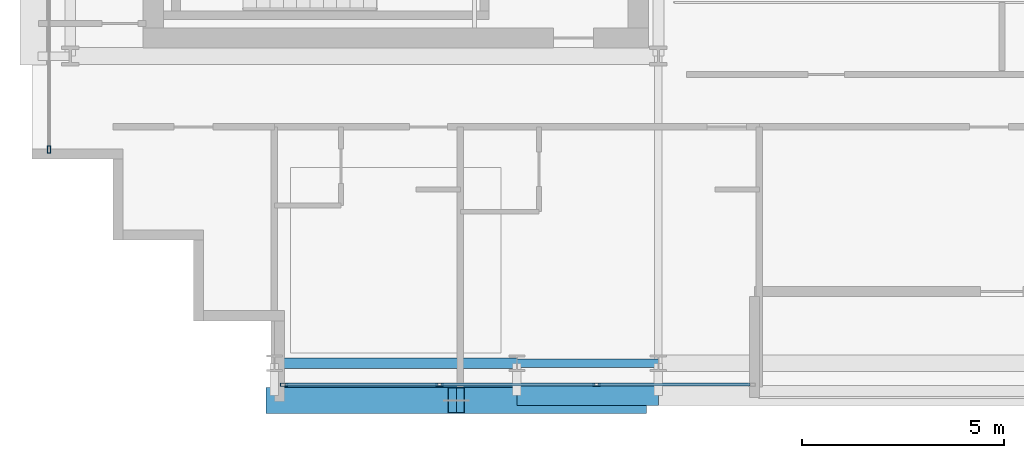
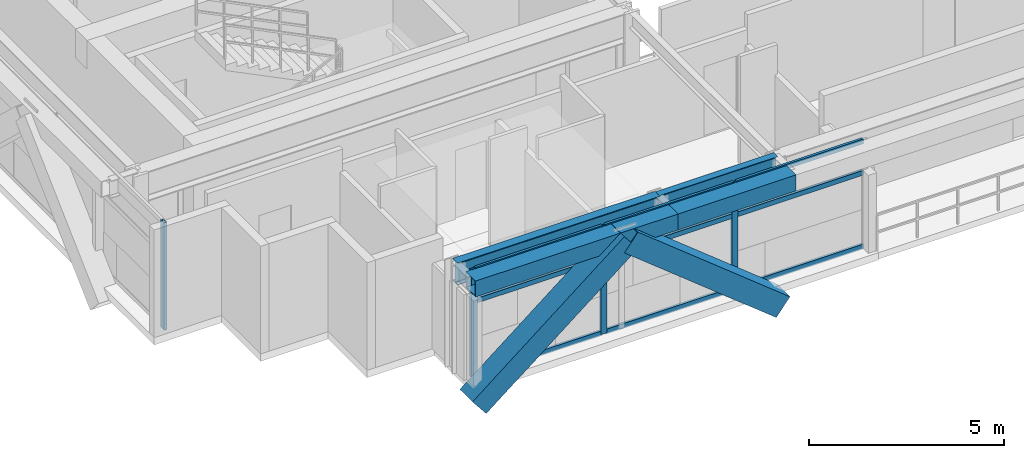
# One storey, part 2 of 31: 15 members, 4 beams, 2 elements without a shape of their own.
"""IFC4 building model written with IfcOpenShell, lengths in metres."""

import ifcopenshell
import ifcopenshell.guid

model = None  # the IFC model being written
_history = None  # IfcOwnerHistory: only IFC2X3 demands one
_inside = {}  # id of a spatial element -> (the spatial element, [elements in it])
_under = {}  # id of a project, library or spatial element -> (it, [spatial elements below it])
_declared = {}  # id of a project -> (the project, [libraries it declares])
_typed = {}  # id of a type object -> (the type object, [elements of that type])
_made_of = {}  # id of a material, layer set ... -> (it, [elements and type objects made of it])


def new_model(schema):
    """Start an empty IFC model of exactly this schema.

    Asked for "IFC4X3", IfcOpenShell would pick the latest addendum, in which some entities
    have other attributes; the version numbers below select the first issue.
    IFC2X3 requires an IfcOwnerHistory on every rooted entity: one is made here for all.
    """
    global model, _history
    if schema == "IFC4X3":
        model = ifcopenshell.file(schema_version=(4, 3, 0, 0))
    else:
        model = ifcopenshell.file(schema=schema)
    _inside.clear()
    _under.clear()
    _declared.clear()
    _typed.clear()
    _made_of.clear()
    _history = None
    if model.schema == "IFC2X3":
        org = make("IfcOrganization", Name="unknown")
        user = make(
            "IfcPersonAndOrganization",
            ThePerson=make("IfcPerson", FamilyName="unknown"),
            TheOrganization=org,
        )
        app = make(
            "IfcApplication",
            ApplicationDeveloper=org,
            Version="unknown",
            ApplicationFullName="unknown",
            ApplicationIdentifier="unknown",
        )
        _history = make(
            "IfcOwnerHistory",
            OwningUser=user,
            OwningApplication=app,
            ChangeAction="ADDED",
            CreationDate=0,
        )
    return model


def make(cls, **values):
    """One entity of the class cls with the attributes given. An attribute that is None is left unset."""
    return model.create_entity(
        cls, **{name: value for name, value in values.items() if value is not None}
    )


def rooted(cls, **values):
    """An entity with a GlobalId (a new one), such as an element, a storey or a relation."""
    return make(cls, GlobalId=ifcopenshell.guid.new(), OwnerHistory=_history, **values)


def si_unit(unit_type, name, prefix=None):
    """IfcSIUnit, for example si_unit("LENGTHUNIT", "METRE", prefix="MILLI")."""
    return make("IfcSIUnit", UnitType=unit_type, Prefix=prefix, Name=name)


def assignment(units):
    """IfcUnitAssignment: the units of a project."""
    return None if units is None else make("IfcUnitAssignment", Units=units)


def point(xyz):
    """IfcCartesianPoint."""
    return None if xyz is None else make("IfcCartesianPoint", Coordinates=xyz)


def direction(xyz):
    """IfcDirection."""
    return None if xyz is None else make("IfcDirection", DirectionRatios=xyz)


def frame(location, z_axis=None, x_axis=None):
    """IfcAxis2Placement3D, a coordinate frame: its origin and axes. An axis left out is left unset."""
    return make(
        "IfcAxis2Placement3D",
        Location=point(location),
        Axis=direction(z_axis),
        RefDirection=direction(x_axis),
    )


def frame_2d(location, x_axis=None):
    """IfcAxis2Placement2D, a coordinate frame in the plane: its origin and x axis."""
    return make(
        "IfcAxis2Placement2D", Location=point(location), RefDirection=direction(x_axis)
    )


def origin():
    """The frame at (0, 0, 0) with its axes left unset."""
    return frame((0.0, 0.0, 0.0))


def origin_2d():
    """The frame at (0, 0) in the plane with its x axis left unset."""
    return frame_2d((0.0, 0.0))


def place(relative_to, where):
    """IfcLocalPlacement: puts the frame where relative to a parent placement (None: the world)."""
    return make(
        "IfcLocalPlacement", PlacementRelTo=relative_to, RelativePlacement=where
    )


def context(
    kind, dimensions, precision=None, world=None, true_north=None, identifier=None
):
    """IfcGeometricRepresentationContext, for example the 3D "Model" context."""
    return make(
        "IfcGeometricRepresentationContext",
        ContextIdentifier=identifier,
        ContextType=kind,
        CoordinateSpaceDimension=dimensions,
        Precision=precision,
        WorldCoordinateSystem=world,
        TrueNorth=true_north,
    )


def subcontext(parent, identifier, kind, view, scale=None):
    """IfcGeometricRepresentationSubContext, for example "Body" below "Model"."""
    return make(
        "IfcGeometricRepresentationSubContext",
        ContextIdentifier=identifier,
        ContextType=kind,
        ParentContext=parent,
        TargetScale=scale,
        TargetView=view,
    )


def project(units=None, contexts=None):
    """IfcProject with its units and contexts."""
    return rooted(
        "IfcProject",
        Name="project",
        RepresentationContexts=contexts,
        UnitsInContext=assignment(units),
    )


def spatial(cls, under=None, at=None, **own):
    """A site, building, storey or space (cls), placed at a placement, below another one or the project."""
    s = rooted(cls, ObjectPlacement=at, **own)
    if under is not None:
        _under.setdefault(under.id(), (under, []))[1].append(s)
    return s


def profile(cls, at=None, kind="AREA", **sizes):
    """A parametric profile (cls). Its sizes go by their IFC names, for example OverallWidth=200.0."""
    return make(cls, ProfileType=kind, Position=at, **sizes)


def hollow_rectangle(**sizes):
    """IfcRectangleHollowProfileDef."""
    return profile("IfcRectangleHollowProfileDef", **sizes)


def i_section(**sizes):
    """IfcIShapeProfileDef."""
    return profile("IfcIShapeProfileDef", **sizes)


def extrude(swept, where, along, depth):
    """IfcExtrudedAreaSolid: the profile swept, set in the frame where, extruded along a direction by depth."""
    return make(
        "IfcExtrudedAreaSolid",
        SweptArea=swept,
        Position=where,
        ExtrudedDirection=direction(along),
        Depth=depth,
    )


def shape(context_of_items, identifier, shape_type, items):
    """IfcShapeRepresentation: the items that make up one representation, for example the "Body"."""
    return make(
        "IfcShapeRepresentation",
        ContextOfItems=context_of_items,
        RepresentationIdentifier=identifier,
        RepresentationType=shape_type,
        Items=items,
    )


def source(mapping_origin, context_of_items, identifier, shape_type, items):
    """IfcRepresentationMap: a shape defined once, which mapped items show again and again."""
    return make(
        "IfcRepresentationMap",
        MappingOrigin=mapping_origin,
        MappedRepresentation=shape(context_of_items, identifier, shape_type, items),
    )


def transform(
    local_origin,
    x_axis=None,
    y_axis=None,
    z_axis=None,
    scale=None,
    scale2=None,
    scale3=None,
    uniform=True,
):
    """IfcCartesianTransformationOperator3D, or its non-uniform kind. x_axis, y_axis, z_axis: its Axis1, 2, 3."""
    if uniform:
        return make(
            "IfcCartesianTransformationOperator3D",
            Axis1=direction(x_axis),
            Axis2=direction(y_axis),
            LocalOrigin=point(local_origin),
            Scale=scale,
            Axis3=direction(z_axis),
        )
    return make(
        "IfcCartesianTransformationOperator3DnonUniform",
        Axis1=direction(x_axis),
        Axis2=direction(y_axis),
        LocalOrigin=point(local_origin),
        Scale=scale,
        Axis3=direction(z_axis),
        Scale2=scale2,
        Scale3=scale3,
    )


def mapped(mapping_source, mapping_target):
    """IfcMappedItem: shows the shape of a source again, moved by a transform."""
    return make(
        "IfcMappedItem", MappingSource=mapping_source, MappingTarget=mapping_target
    )


def material(Name=None, Category=None):
    """IfcMaterial."""
    return make("IfcMaterial", Name=Name, Category=Category)


def layer(
    of_material, thickness, ventilated=None, Name=None, Category=None, Priority=None
):
    """IfcMaterialLayer: one layer of a wall or slab, of a material (None: an air gap)."""
    return make(
        "IfcMaterialLayer",
        Material=of_material,
        LayerThickness=thickness,
        IsVentilated=ventilated,
        Name=Name,
        Category=Category,
        Priority=Priority,
    )


def layer_set(layers, Name=None):
    """IfcMaterialLayerSet."""
    return make("IfcMaterialLayerSet", MaterialLayers=layers, LayerSetName=Name)


def material_profile(
    of_material, cross_section, Name=None, Category=None, Priority=None
):
    """IfcMaterialProfile: a cross section and its material."""
    return make(
        "IfcMaterialProfile",
        Name=Name,
        Material=of_material,
        Profile=cross_section,
        Priority=Priority,
        Category=Category,
    )


def profile_set(profiles, Name=None, composite=None):
    """IfcMaterialProfileSet."""
    return make(
        "IfcMaterialProfileSet",
        Name=Name,
        MaterialProfiles=profiles,
        CompositeProfile=composite,
    )


def made_of(thing, what):
    """Note that an element or type object is made of a material, layer set ...; save() writes the relation."""
    if what is not None:
        _made_of.setdefault(what.id(), (what, []))[1].append(thing)
    return thing


def type_object(cls, material=None, **own):
    """A type object (cls), such as IfcWallType, which elements share."""
    return made_of(rooted(cls, **own), material)


def element(
    cls,
    number,
    at=None,
    inside=None,
    cuts=None,
    type_object=None,
    material=None,
    context=None,
    identifier="Body",
    shape_type=None,
    held_by="IfcProductDefinitionShape",
    body=None,
    shapes=None,
    **own,
):
    """One element of the class cls, such as IfcWall. Its Tag is "e" and its number.

    at: its placement. inside: the storey or other place that contains it. cuts: it is an
    opening in that element (IfcRelVoidsElement). A single representation is given by context,
    identifier, shape_type and body (its items); several are given by shapes. held_by: the class
    of the entity that holds the representations. save() writes the other relations.
    """
    e = rooted(cls, Tag="e%d" % number, ObjectPlacement=at, **own)
    if body is not None:
        shapes = [shape(context, identifier, shape_type, body)]
    if shapes is not None:
        e.Representation = make(held_by, Representations=shapes)
    if inside is not None:
        _inside.setdefault(inside.id(), (inside, []))[1].append(e)
    if cuts is not None:
        rooted(
            "IfcRelVoidsElement", RelatingBuildingElement=cuts, RelatedOpeningElement=e
        )
    if type_object is not None:
        _typed.setdefault(type_object.id(), (type_object, []))[1].append(e)
    return made_of(e, material)


def aggregate(whole, parts):
    """IfcRelAggregates: a whole, such as a stair, and the parts it consists of."""
    return rooted("IfcRelAggregates", RelatingObject=whole, RelatedObjects=parts)


def save(model, path):
    """Write the relations noted so far, then the file.

    IfcRelAggregates (storeys below a building ...), IfcRelContainedInSpatialStructure (elements
    in a storey), IfcRelDefinesByType, IfcRelAssociatesMaterial and IfcRelDeclares: one each for
    every whole, place, type object, material and project.
    """
    for whole, parts in _under.values():
        aggregate(whole, parts)
    for where, things in _inside.values():
        rooted(
            "IfcRelContainedInSpatialStructure",
            RelatedElements=things,
            RelatingStructure=where,
        )
    for kind, things in _typed.values():
        rooted("IfcRelDefinesByType", RelatedObjects=things, RelatingType=kind)
    for what, things in _made_of.values():
        rooted("IfcRelAssociatesMaterial", RelatedObjects=things, RelatingMaterial=what)
    for by, libraries in _declared.values():
        rooted("IfcRelDeclares", RelatingContext=by, RelatedDefinitions=libraries)
    model.write(path)


model = new_model("IFC4")

# Units and contexts
model_context = context("Model", 3, precision=1e-05, world=origin(), true_north=direction((0.0, 1.0)))
body_context = subcontext(model_context, "Body", "Model", "MODEL_VIEW")
ifc_project = project(units=[si_unit("LENGTHUNIT", "METRE"), si_unit("AREAUNIT", "SQUARE_METRE"), si_unit("VOLUMEUNIT", "CUBIC_METRE"), si_unit("PLANEANGLEUNIT", "RADIAN"), si_unit("MASSUNIT", "GRAM", prefix="KILO")], contexts=[model_context])

# Site, building, storey
site_placement = place(None, origin())
site = spatial("IfcSite", under=ifc_project, at=site_placement, CompositionType="ELEMENT")
building_placement = place(site_placement, origin())
building = spatial("IfcBuilding", under=site, at=building_placement, Name="Ocotamira Hotel", CompositionType="ELEMENT")
storey_placement = place(building_placement, frame((0.0, 0.0, 202.800048828125)))
storey = spatial("IfcBuildingStorey", under=building, at=storey_placement, Name="L51", CompositionType="ELEMENT", Elevation=202.800048828125)

# Beams
ifc_material_1 = material(Name="Steel ASTM A992 Grade 50", Category="steel")
ifc_material_profile_1 = material_profile(ifc_material_1, i_section(OverallWidth=0.256103515625, OverallDepth=0.693115234375, WebThickness=0.014404296875, FlangeThickness=0.023681640625, FilletRadius=0.01611328125, at=origin_2d()), Name="W27X114")
ifc_profile_set_1 = profile_set([ifc_material_profile_1], Name="Steel ASTM A992 Grade 50")
beam_type_1 = type_object("IfcBeamType", Name="BM-PRIM-W27X114", PredefinedType="BEAM", material=ifc_profile_set_1)
shared_shape_1 = source(origin(), body_context, "Body", "SweptSolid", [
    extrude(i_section(OverallWidth=0.256103515625, OverallDepth=0.693115234375, WebThickness=0.014404296875, FlangeThickness=0.023681640625, FilletRadius=0.01611328125, at=origin_2d()), origin(), (0.0, 0.0, 1.0), 6.0),
])
beam_1_placement = place(storey_placement, frame((14.0, 6.949951171875, 3.0234375), z_axis=(1.0, 0.0, 0.0), x_axis=(0.0, 1.0, 0.0)))
element("IfcBeam", 1, at=beam_1_placement, inside=storey, type_object=beam_type_1, Name="L51 Girder Y6.95 X14-20", PredefinedType="BEAM", context=body_context, shape_type="MappedRepresentation", body=[
    mapped(shared_shape_1, transform((0.0, 0.0, 0.0), scale=1.0)),
])
ifc_material_profile_2 = material_profile(ifc_material_1, i_section(OverallWidth=0.2099609375, OverallDepth=0.537109375, WebThickness=0.010986328125, FlangeThickness=0.017333984375, FilletRadius=0.012939453125, at=origin_2d()), Name="W21X68")
ifc_profile_set_2 = profile_set([ifc_material_profile_2], Name="Steel ASTM A992 Grade 50")
beam_type_2 = type_object("IfcBeamType", Name="BM-SEC-W21X68", PredefinedType="JOIST", material=ifc_profile_set_2)
shared_shape_2 = source(origin(), body_context, "Body", "SweptSolid", [
    extrude(i_section(OverallWidth=0.2099609375, OverallDepth=0.537109375, WebThickness=0.010986328125, FlangeThickness=0.017333984375, FilletRadius=0.012939453125, at=origin_2d()), origin(), (0.0, 0.0, 1.0), 3.5),
])
beam_2_placement = place(storey_placement, frame((20.0, 6.949951171875, 3.1015625), z_axis=(1.0, 0.0, 0.0), x_axis=(0.0, 1.0, 0.0)))
element("IfcBeam", 2, at=beam_2_placement, inside=storey, type_object=beam_type_2, Name="L51 Girder Y6.95 X20-23.5", PredefinedType="JOIST", context=body_context, shape_type="MappedRepresentation", body=[
    mapped(shared_shape_2, transform((0.0, 0.0, 0.0), scale=1.0)),
])
ifc_material_2 = material(Name="Steel ASTM A500 Grade C", Category="steel")
ifc_material_profile_3 = material_profile(ifc_material_2, hollow_rectangle(XDim=0.5, YDim=0.5, WallThickness=0.02001953125, at=origin_2d()), Name="HSS500X500X20")
ifc_profile_set_3 = profile_set([ifc_material_profile_3], Name="Steel ASTM A500 Grade C")
beam_type_3 = type_object("IfcBeamType", Name="BM-SPAN-HSS500", PredefinedType="USERDEFINED", material=ifc_profile_set_3)
shared_shape_3 = source(origin(), body_context, "Body", "SweptSolid", [
    extrude(hollow_rectangle(XDim=0.5, YDim=0.5, WallThickness=0.02001953125, at=origin_2d()), origin(), (0.0, 0.0, 1.0), 6.0),
])
beam_3_placement = place(storey_placement, frame((14.0, 6.14990234375, 3.119873046875), z_axis=(1.0, 0.0, 0.0), x_axis=(0.0, 1.0, 0.0)))
element("IfcBeam", 3, at=beam_3_placement, inside=storey, type_object=beam_type_3, Name="L51 Edge Spandrel S X14-20", ObjectType="SPANDREL", PredefinedType="USERDEFINED", context=body_context, shape_type="MappedRepresentation", body=[
    mapped(shared_shape_3, transform((0.0, 0.0, 0.0), scale=1.0)),
])
shared_shape_4 = source(origin(), body_context, "Body", "SweptSolid", [
    extrude(hollow_rectangle(XDim=0.5, YDim=0.5, WallThickness=0.02001953125, at=origin_2d()), origin(), (0.0, 0.0, 1.0), 3.5),
])
beam_4_placement = place(storey_placement, frame((20.0, 6.14990234375, 3.119873046875), z_axis=(1.0, 0.0, 0.0), x_axis=(0.0, 1.0, 0.0)))
element("IfcBeam", 4, at=beam_4_placement, inside=storey, type_object=beam_type_3, Name="L51 Edge Spandrel S X20-23.5", ObjectType="SPANDREL", PredefinedType="USERDEFINED", context=body_context, shape_type="MappedRepresentation", body=[
    mapped(shared_shape_4, transform((0.0, 0.0, 0.0), scale=1.0)),
])

# Members
ifc_material_3 = material(Name="Pale-metal coated steel ASTM A913 Grade 65", Category="steel")
ifc_material_profile_4 = material_profile(ifc_material_3, hollow_rectangle(XDim=0.64990234375, YDim=0.64990234375, WallThickness=0.02197265625, at=origin_2d()), Name="BOX650X650X22")
ifc_profile_set_4 = profile_set([ifc_material_profile_4], Name="Pale-metal coated steel ASTM A913 Grade 65")
member_type_1 = type_object("IfcMemberType", Name="MEM-EXO-BOX650", PredefinedType="BRACE", material=ifc_profile_set_4)
shared_shape_5 = source(origin(), body_context, "Body", "SweptSolid", [
    extrude(hollow_rectangle(XDim=0.64990234375, YDim=0.64990234375, WallThickness=0.02197265625, at=origin_2d()), origin(), (0.0, 0.0, 1.0), 5.7626953125),
])
for number, where, z_axis, x_axis, name in (
    (5, (14.0, 6.030029296875, -0.47998046875), (0.780881208953, 0.0, 0.624679547852), (0.0, 1.0, 0.0), "L51 Exoskeleton Diagrid S0.1"),
    (6, (23.0, 6.030029296875, -0.47998046875), (-0.780881208953, 0.0, 0.624679547852), (0.0, -1.0, 0.0), "L51 Exoskeleton Diagrid S0.2"),
):
    element("IfcMember", number, at=place(storey_placement, frame(where, z_axis=z_axis, x_axis=x_axis)), inside=storey, type_object=member_type_1, Name=name, PredefinedType="BRACE", context=body_context, shape_type="MappedRepresentation", body=[
        mapped(shared_shape_5, transform((0.0, 0.0, 0.0), scale=1.0)),
    ])

# Curtain wall, members
ifc_material_4 = material(Name="Anodised pale-metal aluminium and solar glass", Category="aluminium")
ifc_layer = layer(ifc_material_4, 0.199951171875)
ifc_layer_set = layer_set([ifc_layer], Name="Anodised pale-metal aluminium and solar glass")
curtain_wall_type = type_object("IfcCurtainWallType", Name="CW-SYS4-Z3", PredefinedType="NOTDEFINED", material=ifc_layer_set)
curtain_wall_1_placement = place(storey_placement, origin())
curtain_wall_1 = element("IfcCurtainWall", 7, at=curtain_wall_1_placement, inside=storey, type_object=curtain_wall_type, Name="L51 Curtain Wall CW-4 CW-L51-S1", PredefinedType="NOTDEFINED")
ifc_material_5 = material(Name="Anodised pale-metal aluminium 6063-T6", Category="aluminium")
ifc_material_profile_5 = material_profile(ifc_material_5, hollow_rectangle(XDim=0.080078125, YDim=0.179931640625, WallThickness=0.006103515625, at=origin_2d()), Name="HSS180X80X6")
ifc_profile_set_5 = profile_set([ifc_material_profile_5], Name="Anodised pale-metal aluminium 6063-T6")
member_type_2 = type_object("IfcMemberType", Name="CWM-180X75", PredefinedType="MULLION", material=ifc_profile_set_5)
shared_shape_6 = source(origin(), body_context, "Body", "SweptSolid", [
    extrude(hollow_rectangle(XDim=0.080078125, YDim=0.179931640625, WallThickness=0.006103515625, at=origin_2d()), origin(), (0.0, 0.0, 1.0), 3.369873046875),
])
member_1_placement = place(storey_placement, frame((14.239990234375, 6.419921875, 0.0), z_axis=(0.0, 0.0, 1.0), x_axis=(0.0, 1.0, 0.0)))
member_1 = element("IfcMember", 8, at=member_1_placement, type_object=member_type_2, Name="CW-4 mullion 1", PredefinedType="MULLION", context=body_context, shape_type="MappedRepresentation", body=[
    mapped(shared_shape_6, transform((0.0, 0.0, 0.0), scale=1.0)),
])
member_2_placement = place(storey_placement, frame((18.083251953125, 6.419921875, 0.0), z_axis=(0.0, 0.0, 1.0), x_axis=(0.0, 1.0, 0.0)))
member_2 = element("IfcMember", 9, at=member_2_placement, type_object=member_type_2, Name="CW-4 mullion 2", PredefinedType="MULLION", context=body_context, shape_type="MappedRepresentation", body=[
    mapped(shared_shape_6, transform((0.0, 0.0, 0.0), scale=1.0)),
])
member_3_placement = place(storey_placement, frame((21.966552734375, 6.419921875, 0.0), z_axis=(0.0, 0.0, 1.0), x_axis=(0.0, 1.0, 0.0)))
member_3 = element("IfcMember", 10, at=member_3_placement, type_object=member_type_2, Name="CW-4 mullion 3", PredefinedType="MULLION", context=body_context, shape_type="MappedRepresentation", body=[
    mapped(shared_shape_6, transform((0.0, 0.0, 0.0), scale=1.0)),
])

# Curtain wall, member
curtain_wall_2_placement = place(storey_placement, origin())
curtain_wall_2 = element("IfcCurtainWall", 11, at=curtain_wall_2_placement, inside=storey, type_object=curtain_wall_type, Name="L51 Curtain Wall CW-4 CW-L51-W", PredefinedType="NOTDEFINED")
member_4_placement = place(storey_placement, frame((8.419921875, 12.239990234375, 0.0), z_axis=(0.0, 0.0, 1.0), x_axis=(-1.0, 0.0, 0.0)))
member_4 = element("IfcMember", 12, at=member_4_placement, type_object=member_type_2, Name="CW-4 mullion 1", PredefinedType="MULLION", context=body_context, shape_type="MappedRepresentation", body=[
    mapped(shared_shape_6, transform((0.0, 0.0, 0.0), scale=1.0)),
])
aggregate(curtain_wall_2, [member_4])

# Member
ifc_material_profile_6 = material_profile(ifc_material_5, hollow_rectangle(XDim=0.074951171875, YDim=0.14990234375, WallThickness=0.006103515625, at=origin_2d()), Name="HSS150X75X6")
ifc_profile_set_6 = profile_set([ifc_material_profile_6], Name="Anodised pale-metal aluminium 6063-T6")
member_type_3 = type_object("IfcMemberType", Name="CWT-150X75", PredefinedType="USERDEFINED", material=ifc_profile_set_6)
shared_shape_7 = source(origin(), body_context, "Body", "SweptSolid", [
    extrude(hollow_rectangle(XDim=0.074951171875, YDim=0.14990234375, WallThickness=0.006103515625, at=origin_2d()), origin(), (0.0, 0.0, 1.0), 3.76318359375),
])
member_5_placement = place(storey_placement, frame((14.280029296875, 6.419921875, 0.037353515625), z_axis=(1.0, 0.0, 0.0), x_axis=(0.0, 1.0, 0.0)))
member_5 = element("IfcMember", 13, at=member_5_placement, type_object=member_type_3, Name="CW-4 transom 1.1", ObjectType="TRANSOM", PredefinedType="USERDEFINED", context=body_context, shape_type="MappedRepresentation", body=[
    mapped(shared_shape_7, transform((0.0, 0.0, 0.0), scale=1.0)),
])

member_6_placement = place(storey_placement, frame((14.280029296875, 6.419921875, 2.349853515625), z_axis=(1.0, 0.0, 0.0), x_axis=(0.0, 1.0, 0.0)))
member_6 = element("IfcMember", 14, at=member_6_placement, type_object=member_type_3, Name="CW-4 transom 1.2", ObjectType="TRANSOM", PredefinedType="USERDEFINED", context=body_context, shape_type="MappedRepresentation", body=[
    mapped(shared_shape_7, transform((0.0, 0.0, 0.0), scale=1.0)),
])

member_7_placement = place(storey_placement, frame((14.280029296875, 6.419921875, 3.33251953125), z_axis=(1.0, 0.0, 0.0), x_axis=(0.0, 1.0, 0.0)))
member_7 = element("IfcMember", 15, at=member_7_placement, type_object=member_type_3, Name="CW-4 transom 1.3", ObjectType="TRANSOM", PredefinedType="USERDEFINED", context=body_context, shape_type="MappedRepresentation", body=[
    mapped(shared_shape_7, transform((0.0, 0.0, 0.0), scale=1.0)),
])

shared_shape_8 = source(origin(), body_context, "Body", "SweptSolid", [
    extrude(hollow_rectangle(XDim=0.074951171875, YDim=0.14990234375, WallThickness=0.006103515625, at=origin_2d()), origin(), (0.0, 0.0, 1.0), 3.803466796875),
])
member_8_placement = place(storey_placement, frame((18.123291015625, 6.419921875, 0.037353515625), z_axis=(1.0, 0.0, 0.0), x_axis=(0.0, 1.0, 0.0)))
member_8 = element("IfcMember", 16, at=member_8_placement, type_object=member_type_3, Name="CW-4 transom 2.1", ObjectType="TRANSOM", PredefinedType="USERDEFINED", context=body_context, shape_type="MappedRepresentation", body=[
    mapped(shared_shape_8, transform((0.0, 0.0, 0.0), scale=1.0)),
])

member_9_placement = place(storey_placement, frame((18.123291015625, 6.419921875, 2.349853515625), z_axis=(1.0, 0.0, 0.0), x_axis=(0.0, 1.0, 0.0)))
member_9 = element("IfcMember", 17, at=member_9_placement, type_object=member_type_3, Name="CW-4 transom 2.2", ObjectType="TRANSOM", PredefinedType="USERDEFINED", context=body_context, shape_type="MappedRepresentation", body=[
    mapped(shared_shape_8, transform((0.0, 0.0, 0.0), scale=1.0)),
])

member_10_placement = place(storey_placement, frame((18.123291015625, 6.419921875, 3.33251953125), z_axis=(1.0, 0.0, 0.0), x_axis=(0.0, 1.0, 0.0)))
member_10 = element("IfcMember", 18, at=member_10_placement, type_object=member_type_3, Name="CW-4 transom 2.3", ObjectType="TRANSOM", PredefinedType="USERDEFINED", context=body_context, shape_type="MappedRepresentation", body=[
    mapped(shared_shape_8, transform((0.0, 0.0, 0.0), scale=1.0)),
])

shared_shape_9 = source(origin(), body_context, "Body", "SweptSolid", [
    extrude(hollow_rectangle(XDim=0.074951171875, YDim=0.14990234375, WallThickness=0.006103515625, at=origin_2d()), origin(), (0.0, 0.0, 1.0), 3.763427734375),
])
member_11_placement = place(storey_placement, frame((22.006591796875, 6.419921875, 0.037353515625), z_axis=(1.0, 0.0, 0.0), x_axis=(0.0, 1.0, 0.0)))
member_11 = element("IfcMember", 19, at=member_11_placement, type_object=member_type_3, Name="CW-4 transom 3.1", ObjectType="TRANSOM", PredefinedType="USERDEFINED", context=body_context, shape_type="MappedRepresentation", body=[
    mapped(shared_shape_9, transform((0.0, 0.0, 0.0), scale=1.0)),
])

member_12_placement = place(storey_placement, frame((22.006591796875, 6.419921875, 2.349853515625), z_axis=(1.0, 0.0, 0.0), x_axis=(0.0, 1.0, 0.0)))
member_12 = element("IfcMember", 20, at=member_12_placement, type_object=member_type_3, Name="CW-4 transom 3.2", ObjectType="TRANSOM", PredefinedType="USERDEFINED", context=body_context, shape_type="MappedRepresentation", body=[
    mapped(shared_shape_9, transform((0.0, 0.0, 0.0), scale=1.0)),
])

member_13_placement = place(storey_placement, frame((22.006591796875, 6.419921875, 3.33251953125), z_axis=(1.0, 0.0, 0.0), x_axis=(0.0, 1.0, 0.0)))
member_13 = element("IfcMember", 21, at=member_13_placement, type_object=member_type_3, Name="CW-4 transom 3.3", ObjectType="TRANSOM", PredefinedType="USERDEFINED", context=body_context, shape_type="MappedRepresentation", body=[
    mapped(shared_shape_9, transform((0.0, 0.0, 0.0), scale=1.0)),
])

aggregate(curtain_wall_1, [member_1, member_2, member_3, member_5, member_6, member_7, member_8, member_9, member_10, member_11, member_12, member_13])

save(model, "model.ifc")
